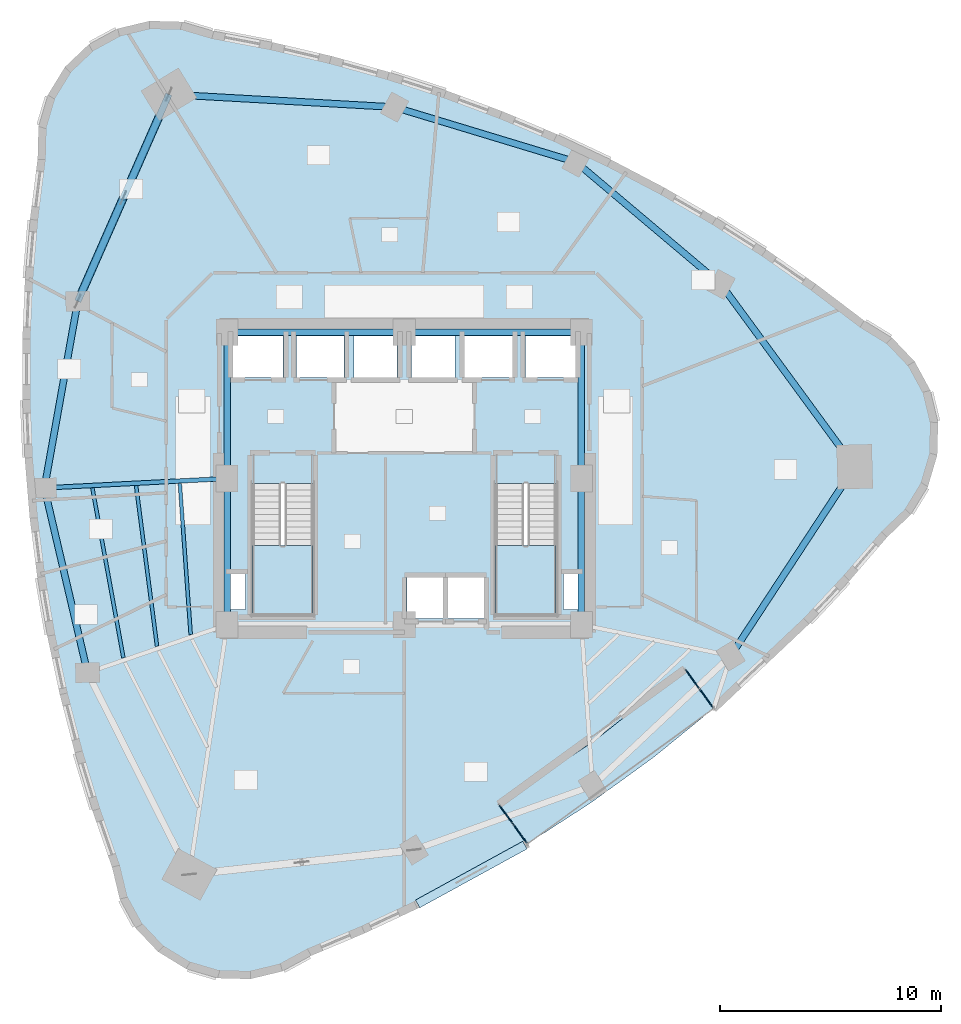
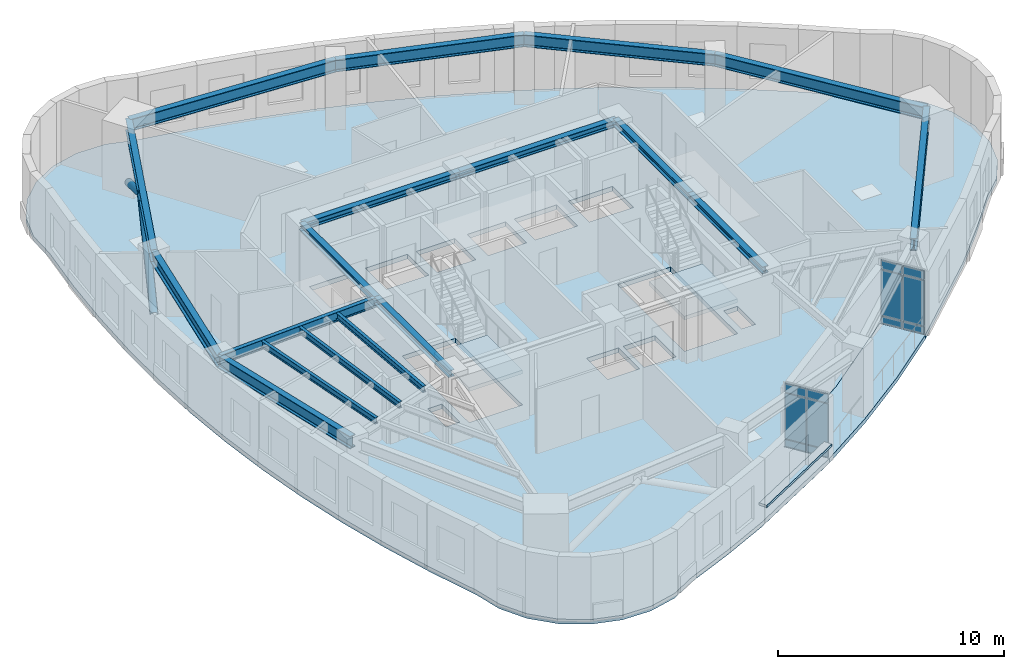
# One storey, part 4 of 12: 18 beams, 13 plates, 4 slabs, 2 members, 4 elements without a shape of their own.
"""IFC4 building model written with IfcOpenShell, lengths in metres."""

from ifc_helpers import new_model, si_unit, direction, frame, origin, origin_2d, place, context, subcontext, project, spatial, polyline, rectangle, hollow_circle, i_section, outline, extrude, material, layer, layer_set, material_profile, profile_set, type_object, element, aggregate, save


model = new_model("IFC4")

# Units and contexts
model_context = context("Model", 3, precision=1e-05, world=origin(), true_north=direction((0.0, 1.0)))
body_context = subcontext(model_context, "Body", "Model", "MODEL_VIEW")
ifc_project = project(units=[si_unit("LENGTHUNIT", "METRE"), si_unit("AREAUNIT", "SQUARE_METRE"), si_unit("VOLUMEUNIT", "CUBIC_METRE"), si_unit("PLANEANGLEUNIT", "RADIAN"), si_unit("MASSUNIT", "GRAM", prefix="KILO")], contexts=[model_context])

# Site, building, storey
site_placement = place(None, origin())
site = spatial("IfcSite", under=ifc_project, at=site_placement, CompositionType="ELEMENT")
building_placement = place(site_placement, origin())
building = spatial("IfcBuilding", under=site, at=building_placement, Name="Ndelora Gate Hotel", CompositionType="ELEMENT")
storey_placement = place(building_placement, frame((0.0, 0.0, 142.25)))
storey = spatial("IfcBuildingStorey", under=building, at=storey_placement, Name="L35", CompositionType="ELEMENT", Elevation=142.25)

# Beams
ifc_material_1 = material(Name="Steel S355", Category="steel")
ifc_material_profile_1 = material_profile(ifc_material_1, i_section(OverallWidth=0.300048828125, OverallDepth=0.360107421875, WebThickness=0.012451171875, FlangeThickness=0.0224609375, FilletRadius=0.027099609375, at=origin_2d()), Name="HEB 360")
ifc_profile_set_1 = profile_set([ifc_material_profile_1], Name="Steel S355")
beam_type_1 = type_object("IfcBeamType", Name="BM-CORE-360", PredefinedType="BEAM", material=ifc_profile_set_1)
for number, where, z_axis, x_axis, name in (
    (1, (-8.0, 6.60009765625, 3.320068359375), (1.0, 0.0, 0.0), (0.0, 1.0, 0.0), "L35 Core Tie Girder CC7-CC6"),
    (2, (0.0, 6.60009765625, 3.320068359375), (1.0, 0.0, 0.0), (0.0, 1.0, 0.0), "L35 Core Tie Girder CC6-CC5"),
):
    element("IfcBeam", number, at=place(storey_placement, frame(where, z_axis=z_axis, x_axis=x_axis)), inside=storey, type_object=beam_type_1, Name=name, PredefinedType="BEAM", context=body_context, shape_type="SweptSolid", body=[
        extrude(i_section(OverallWidth=0.300048828125, OverallDepth=0.360107421875, WebThickness=0.012451171875, FlangeThickness=0.0224609375, FilletRadius=0.027099609375, at=origin_2d()), origin(), (0.0, 0.0, 1.0), 8.0),
    ])
for number, where, z_axis, x_axis, name in (
    (3, (-8.0, -6.60009765625, 3.320068359375), (0.0, 1.0, 0.0), (-1.0, 0.0, 0.0), "L35 Core Tie Girder CC1-CC8"),
    (4, (-8.0, 0.0, 3.320068359375), (0.0, 1.0, 0.0), (-1.0, 0.0, 0.0), "L35 Core Tie Girder CC8-CC7"),
    (5, (8.0, -6.60009765625, 3.320068359375), (0.0, 1.0, 0.0), (-1.0, 0.0, 0.0), "L35 Core Tie Girder CC3-CC4"),
    (6, (8.0, 0.0, 3.320068359375), (0.0, 1.0, 0.0), (-1.0, 0.0, 0.0), "L35 Core Tie Girder CC4-CC5"),
):
    element("IfcBeam", number, at=place(storey_placement, frame(where, z_axis=z_axis, x_axis=x_axis)), inside=storey, type_object=beam_type_1, Name=name, PredefinedType="BEAM", context=body_context, shape_type="SweptSolid", body=[
        extrude(i_section(OverallWidth=0.300048828125, OverallDepth=0.360107421875, WebThickness=0.012451171875, FlangeThickness=0.0224609375, FilletRadius=0.027099609375, at=origin_2d()), origin(), (0.0, 0.0, 1.0), 6.60009765625),
    ])
ifc_material_profile_2 = material_profile(ifc_material_1, i_section(OverallWidth=0.159912109375, OverallDepth=0.330078125, WebThickness=0.007568359375, FlangeThickness=0.011474609375, FilletRadius=0.01806640625, at=origin_2d()), Name="IPE 330")
ifc_profile_set_2 = profile_set([ifc_material_profile_2], Name="Steel S355")
beam_type_2 = type_object("IfcBeamType", Name="BM-JST-330", PredefinedType="JOIST", material=ifc_profile_set_2)
beam_1_placement = place(storey_placement, frame((-10.138427734375, -0.220458984375, 3.3349609375), z_axis=(0.07162945927, -0.997431311201, 0.0), x_axis=(0.997431311201, 0.07162945927, 0.0)))
element("IfcBeam", 7, at=beam_1_placement, inside=storey, type_object=beam_type_2, Name="L35 Secondary Composite Floor Joist IN-3", PredefinedType="JOIST", context=body_context, shape_type="SweptSolid", body=[
    extrude(i_section(OverallWidth=0.159912109375, OverallDepth=0.330078125, WebThickness=0.007568359375, FlangeThickness=0.011474609375, FilletRadius=0.01806640625, at=origin_2d()), origin(), (0.0, 0.0, 1.0), 6.850830078125),
])
beam_2_placement = place(storey_placement, frame((-12.113525390625, -0.322021484375, 3.3349609375), z_axis=(0.12927924943, -0.991608226906, 0.0), x_axis=(0.991608226906, 0.12927924943, 0.0)))
element("IfcBeam", 8, at=beam_2_placement, inside=storey, type_object=beam_type_2, Name="L35 Secondary Composite Floor Joist MID-3", PredefinedType="JOIST", context=body_context, shape_type="SweptSolid", body=[
    extrude(i_section(OverallWidth=0.159912109375, OverallDepth=0.330078125, WebThickness=0.007568359375, FlangeThickness=0.011474609375, FilletRadius=0.01806640625, at=origin_2d()), origin(), (0.0, 0.0, 1.0), 7.31396484375),
])
beam_3_placement = place(storey_placement, frame((-14.089111328125, -0.423095703125, 3.3349609375), z_axis=(0.179733770179, -0.983715290039, 0.0), x_axis=(0.983715290039, 0.179733770179, 0.0)))
element("IfcBeam", 9, at=beam_3_placement, inside=storey, type_object=beam_type_2, Name="L35 Secondary Composite Floor Joist OUT-3", PredefinedType="JOIST", context=body_context, shape_type="SweptSolid", body=[
    extrude(i_section(OverallWidth=0.159912109375, OverallDepth=0.330078125, WebThickness=0.007568359375, FlangeThickness=0.011474609375, FilletRadius=0.01806640625, at=origin_2d()), origin(), (0.0, 0.0, 1.0), 7.799560546875),
])
ifc_material_profile_3 = material_profile(ifc_material_1, i_section(OverallWidth=0.199951171875, OverallDepth=0.5, WebThickness=0.01025390625, FlangeThickness=0.01611328125, FilletRadius=0.02099609375, at=origin_2d()), Name="IPE 500")
ifc_profile_set_3 = profile_set([ifc_material_profile_3], Name="Steel S355")
beam_type_3 = type_object("IfcBeamType", Name="BM-RAD-500", PredefinedType="BEAM", material=ifc_profile_set_3)
beam_4_placement = place(storey_placement, frame((-8.0, 0.0, 3.25), z_axis=(-0.998672591881, -0.051507807424, 0.0), x_axis=(0.051507807424, -0.998672591881, 0.0)))
element("IfcBeam", 10, at=beam_4_placement, inside=storey, type_object=beam_type_3, Name="L35 Radial Floor Girder 3", PredefinedType="BEAM", context=body_context, shape_type="SweptSolid", body=[
    extrude(i_section(OverallWidth=0.199951171875, OverallDepth=0.5, WebThickness=0.01025390625, FlangeThickness=0.01611328125, FilletRadius=0.02099609375, at=origin_2d()), origin(), (0.0, 0.0, 1.0), 8.266357421875),
])
ifc_material_profile_4 = material_profile(ifc_material_1, i_section(OverallWidth=0.300048828125, OverallDepth=0.64990234375, WebThickness=0.01611328125, FlangeThickness=0.031005859375, FilletRadius=0.027099609375, at=origin_2d()), Name="HEB 650")
ifc_profile_set_4 = profile_set([ifc_material_profile_4], Name="Steel S355")
beam_type_4 = type_object("IfcBeamType", Name="BM-RING-650", PredefinedType="SPANDREL", material=ifc_profile_set_4)
beam_5_placement = place(storey_placement, frame((-10.63330078125, 17.351806640625, 3.175048828125), z_axis=(-0.402852396707, -0.915264959707, 0.0), x_axis=(0.915264959707, -0.402852396707, 0.0)))
element("IfcBeam", 11, at=beam_5_placement, inside=storey, type_object=beam_type_4, Name="L35 Perimeter Spandrel Girder 1", PredefinedType="SPANDREL", context=body_context, shape_type="SweptSolid", body=[
    extrude(i_section(OverallWidth=0.300048828125, OverallDepth=0.64990234375, WebThickness=0.01611328125, FlangeThickness=0.031005859375, FilletRadius=0.027099609375, at=origin_2d()), origin(), (0.0, 0.0, 1.0), 10.21044921875),
])
beam_6_placement = place(storey_placement, frame((-14.74658203125, 8.006591796875, 3.175048828125), z_axis=(-0.176130938817, -0.984366746894, 0.0), x_axis=(0.984366746894, -0.176130938817, 0.0)))
element("IfcBeam", 12, at=beam_6_placement, inside=storey, type_object=beam_type_4, Name="L35 Perimeter Spandrel Girder 2", PredefinedType="SPANDREL", context=body_context, shape_type="SweptSolid", body=[
    extrude(i_section(OverallWidth=0.300048828125, OverallDepth=0.64990234375, WebThickness=0.01611328125, FlangeThickness=0.031005859375, FilletRadius=0.027099609375, at=origin_2d()), origin(), (0.0, 0.0, 1.0), 8.56640625),
])
beam_7_placement = place(storey_placement, frame((-16.25537109375, -0.42578125, 3.175048828125), z_axis=(0.227404398157, -0.973800410607, 0.0), x_axis=(0.973800410607, 0.227404398157, 0.0)))
element("IfcBeam", 13, at=beam_7_placement, inside=storey, type_object=beam_type_4, Name="L35 Perimeter Spandrel Girder 3", PredefinedType="SPANDREL", context=body_context, shape_type="SweptSolid", body=[
    extrude(i_section(OverallWidth=0.300048828125, OverallDepth=0.64990234375, WebThickness=0.01611328125, FlangeThickness=0.031005859375, FilletRadius=0.027099609375, at=origin_2d()), origin(), (0.0, 0.0, 1.0), 8.566162109375),
])
for number, where, z_axis, x_axis, name in (
    (14, (14.74658203125, -8.006591796875, 3.175048828125), (0.548194123818, 0.836351123998, 0.0), (-0.836351123998, 0.548194123818, 0.0), "L35 Perimeter Spandrel Girder 8"),
    (15, (20.34375, 0.53271484375, 3.175048828125), (-0.591229932094, 0.806503048597, 0.0), (-0.806503048597, -0.591229932094, 0.0), "L35 Perimeter Spandrel Girder 9"),
):
    element("IfcBeam", number, at=place(storey_placement, frame(where, z_axis=z_axis, x_axis=x_axis)), inside=storey, type_object=beam_type_4, Name=name, PredefinedType="SPANDREL", context=body_context, shape_type="SweptSolid", body=[
        extrude(i_section(OverallWidth=0.300048828125, OverallDepth=0.64990234375, WebThickness=0.01611328125, FlangeThickness=0.031005859375, FilletRadius=0.027099609375, at=origin_2d()), origin(), (0.0, 0.0, 1.0), 10.210205078125),
    ])
beam_8_placement = place(storey_placement, frame((14.30712890625, 8.767333984375, 3.175048828125), z_axis=(-0.76440691948, 0.644734101356, 0.0), x_axis=(-0.644734101356, -0.76440691948, 0.0)))
element("IfcBeam", 16, at=beam_8_placement, inside=storey, type_object=beam_type_4, Name="L35 Perimeter Spandrel Girder 10", PredefinedType="SPANDREL", context=body_context, shape_type="SweptSolid", body=[
    extrude(i_section(OverallWidth=0.300048828125, OverallDepth=0.64990234375, WebThickness=0.01611328125, FlangeThickness=0.031005859375, FilletRadius=0.027099609375, at=origin_2d()), origin(), (0.0, 0.0, 1.0), 8.566162109375),
])
beam_9_placement = place(storey_placement, frame((7.759033203125, 14.290283203125, 3.175048828125), z_axis=(-0.957030396662, 0.289987620192, 0.0), x_axis=(-0.289987620192, -0.957030396662, 0.0)))
element("IfcBeam", 17, at=beam_9_placement, inside=storey, type_object=beam_type_4, Name="L35 Perimeter Spandrel Girder 11", PredefinedType="SPANDREL", context=body_context, shape_type="SweptSolid", body=[
    extrude(i_section(OverallWidth=0.300048828125, OverallDepth=0.64990234375, WebThickness=0.01611328125, FlangeThickness=0.031005859375, FilletRadius=0.027099609375, at=origin_2d()), origin(), (0.0, 0.0, 1.0), 8.56640625),
])
beam_10_placement = place(storey_placement, frame((-0.439208984375, 16.7744140625, 3.175048828125), z_axis=(-0.998399808671, 0.056549288648, 0.0), x_axis=(-0.056549288648, -0.998399808671, 0.0)))
element("IfcBeam", 18, at=beam_10_placement, inside=storey, type_object=beam_type_4, Name="L35 Perimeter Spandrel Girder 12", PredefinedType="SPANDREL", context=body_context, shape_type="SweptSolid", body=[
    extrude(i_section(OverallWidth=0.300048828125, OverallDepth=0.64990234375, WebThickness=0.01611328125, FlangeThickness=0.031005859375, FilletRadius=0.027099609375, at=origin_2d()), origin(), (0.0, 0.0, 1.0), 10.21044921875),
])

# Members
ifc_material_profile_5 = material_profile(ifc_material_1, hollow_circle(Radius=0.177978515625, WallThickness=0.01611328125, at=origin_2d()), Name="CHS 356x16")
ifc_profile_set_5 = profile_set([ifc_material_profile_5], Name="Steel S355")
member_type = type_object("IfcMemberType", Name="MB-TUBE-356", PredefinedType="BRACE", material=ifc_profile_set_5)
for number, where, z_axis, x_axis, name in (
    (19, (-10.63330078125, 17.351806640625, 0.02001953125), (-0.34939949201, -0.793822041498, 0.497761550761), (0.915264959707, -0.402852396707, 0.0), "L35 Perimeter Braced-Tube Diagonal 1A"),
    (20, (-14.74658203125, 8.006591796875, 0.02001953125), (0.34939949201, 0.793822041498, 0.497761550761), (-0.915264959707, 0.402852396707, 0.0), "L35 Perimeter Braced-Tube Diagonal 1B"),
):
    element("IfcMember", number, at=place(storey_placement, frame(where, z_axis=z_axis, x_axis=x_axis)), inside=storey, type_object=member_type, Name=name, PredefinedType="BRACE", context=body_context, shape_type="SweptSolid", body=[
        extrude(hollow_circle(Radius=0.177978515625, WallThickness=0.01611328125, at=origin_2d()), origin(), (0.0, 0.0, 1.0), 5.88623046875),
    ])

# Curtain wall, plates
ifc_material_2 = material(Name="Bronze Anodised Unitised Aluminium and Low-E Glass", Category="aluminium")
ifc_layer_1 = layer(ifc_material_2, 0.199951171875)
ifc_layer_set_1 = layer_set([ifc_layer_1], Name="Bronze Anodised Unitised Aluminium and Low-E Glass")
curtain_wall_type = type_object("IfcCurtainWallType", Name="CW-SYS-3", PredefinedType="NOTDEFINED", material=ifc_layer_set_1)
curtain_wall_1_placement = place(storey_placement, origin())
curtain_wall_1 = element("IfcCurtainWall", 21, at=curtain_wall_1_placement, inside=storey, type_object=curtain_wall_type, Name="L35 Sky-Garden Loggia Side Curtain Wall CW3-1", PredefinedType="NOTDEFINED")
ifc_material_3 = material(Name="Solar-Control Low-E Insulated Glazing", Category="glass")
ifc_layer_2 = layer(ifc_material_3, 0.048095703125)
ifc_layer_set_2 = layer_set([ifc_layer_2], Name="Solar-Control Low-E Insulated Glazing")
plate_type_1 = type_object("IfcPlateType", Name="PL-CW-GLZ36", PredefinedType="CURTAIN_PANEL", material=ifc_layer_set_2)
plate_1_placement = place(storey_placement, frame((4.59912109375, -15.177001953125, 0.05908203125), z_axis=(0.0, 0.0, 1.0), x_axis=(0.587785135859, -0.809017078969, 0.0)))
plate_1 = element("IfcPlate", 22, at=plate_1_placement, type_object=plate_type_1, Name="CW3 panel 1.1", PredefinedType="CURTAIN_PANEL", context=body_context, shape_type="SweptSolid", body=[
    extrude(rectangle(XDim=1.014404296875, YDim=0.048095703125, at=origin_2d()), origin(), (0.0, 0.0, 1.0), 0.364501953125),
])
plate_2_placement = place(storey_placement, frame((4.59912109375, -15.177001953125, 0.4765625), z_axis=(0.0, 0.0, 1.0), x_axis=(0.587785135859, -0.809017078969, 0.0)))
plate_2 = element("IfcPlate", 23, at=plate_2_placement, type_object=plate_type_1, Name="CW3 panel 1.2", PredefinedType="CURTAIN_PANEL", context=body_context, shape_type="SweptSolid", body=[
    extrude(rectangle(XDim=1.014404296875, YDim=0.048095703125, at=origin_2d()), origin(), (0.0, 0.0, 1.0), 2.447021484375),
])
plate_3_placement = place(storey_placement, frame((4.59912109375, -15.177001953125, 2.9765625), z_axis=(0.0, 0.0, 1.0), x_axis=(0.587785135859, -0.809017078969, 0.0)))
plate_3 = element("IfcPlate", 24, at=plate_3_placement, type_object=plate_type_1, Name="CW3 panel 1.3", PredefinedType="CURTAIN_PANEL", context=body_context, shape_type="SweptSolid", body=[
    extrude(rectangle(XDim=1.014404296875, YDim=0.048095703125, at=origin_2d()), origin(), (0.0, 0.0, 1.0), 0.464599609375),
])
plate_4_placement = place(storey_placement, frame((5.2265625, -16.040771484375, 0.05908203125), z_axis=(0.0, 0.0, 1.0), x_axis=(0.587785135859, -0.809017078969, 0.0)))
plate_4 = element("IfcPlate", 25, at=plate_4_placement, type_object=plate_type_1, Name="CW3 panel 2.1", PredefinedType="CURTAIN_PANEL", context=body_context, shape_type="SweptSolid", body=[
    extrude(rectangle(XDim=1.014404296875, YDim=0.048095703125, at=origin_2d()), origin(), (0.0, 0.0, 1.0), 0.364501953125),
])
plate_5_placement = place(storey_placement, frame((5.2265625, -16.040771484375, 0.4765625), z_axis=(0.0, 0.0, 1.0), x_axis=(0.587785135859, -0.809017078969, 0.0)))
plate_5 = element("IfcPlate", 26, at=plate_5_placement, type_object=plate_type_1, Name="CW3 panel 2.2", PredefinedType="CURTAIN_PANEL", context=body_context, shape_type="SweptSolid", body=[
    extrude(rectangle(XDim=1.014404296875, YDim=0.048095703125, at=origin_2d()), origin(), (0.0, 0.0, 1.0), 2.447021484375),
])
plate_6_placement = place(storey_placement, frame((5.2265625, -16.040771484375, 2.9765625), z_axis=(0.0, 0.0, 1.0), x_axis=(0.587785135859, -0.809017078969, 0.0)))
plate_6 = element("IfcPlate", 27, at=plate_6_placement, type_object=plate_type_1, Name="CW3 panel 2.3", PredefinedType="CURTAIN_PANEL", context=body_context, shape_type="SweptSolid", body=[
    extrude(rectangle(XDim=1.014404296875, YDim=0.048095703125, at=origin_2d()), origin(), (0.0, 0.0, 1.0), 0.464599609375),
])
aggregate(curtain_wall_1, [plate_1, plate_2, plate_3, plate_4, plate_5, plate_6])

curtain_wall_2_placement = place(storey_placement, origin())
curtain_wall_2 = element("IfcCurtainWall", 28, at=curtain_wall_2_placement, inside=storey, type_object=curtain_wall_type, Name="L35 Sky-Garden Loggia Side Curtain Wall CW3-2", PredefinedType="NOTDEFINED")
plate_7_placement = place(storey_placement, frame((13.640380859375, -9.927734375, 0.05908203125), z_axis=(0.0, 0.0, 1.0), x_axis=(-0.587785135859, 0.809017078969, 0.0)))
plate_7 = element("IfcPlate", 29, at=plate_7_placement, type_object=plate_type_1, Name="CW3 panel 1.1", PredefinedType="CURTAIN_PANEL", context=body_context, shape_type="SweptSolid", body=[
    extrude(rectangle(XDim=1.014404296875, YDim=0.048095703125, at=origin_2d()), origin(), (0.0, 0.0, 1.0), 0.364501953125),
])
plate_8_placement = place(storey_placement, frame((13.640380859375, -9.927734375, 0.4765625), z_axis=(0.0, 0.0, 1.0), x_axis=(-0.587785135859, 0.809017078969, 0.0)))
plate_8 = element("IfcPlate", 30, at=plate_8_placement, type_object=plate_type_1, Name="CW3 panel 1.2", PredefinedType="CURTAIN_PANEL", context=body_context, shape_type="SweptSolid", body=[
    extrude(rectangle(XDim=1.014404296875, YDim=0.048095703125, at=origin_2d()), origin(), (0.0, 0.0, 1.0), 2.447021484375),
])
plate_9_placement = place(storey_placement, frame((13.640380859375, -9.927734375, 2.9765625), z_axis=(0.0, 0.0, 1.0), x_axis=(-0.587785135859, 0.809017078969, 0.0)))
plate_9 = element("IfcPlate", 31, at=plate_9_placement, type_object=plate_type_1, Name="CW3 panel 1.3", PredefinedType="CURTAIN_PANEL", context=body_context, shape_type="SweptSolid", body=[
    extrude(rectangle(XDim=1.014404296875, YDim=0.048095703125, at=origin_2d()), origin(), (0.0, 0.0, 1.0), 0.464599609375),
])
plate_10_placement = place(storey_placement, frame((13.012939453125, -9.064208984375, 0.05908203125), z_axis=(0.0, 0.0, 1.0), x_axis=(-0.587785135859, 0.809017078969, 0.0)))
plate_10 = element("IfcPlate", 32, at=plate_10_placement, type_object=plate_type_1, Name="CW3 panel 2.1", PredefinedType="CURTAIN_PANEL", context=body_context, shape_type="SweptSolid", body=[
    extrude(rectangle(XDim=1.014404296875, YDim=0.048095703125, at=origin_2d()), origin(), (0.0, 0.0, 1.0), 0.364501953125),
])
plate_11_placement = place(storey_placement, frame((13.012939453125, -9.064208984375, 0.4765625), z_axis=(0.0, 0.0, 1.0), x_axis=(-0.587785135859, 0.809017078969, 0.0)))
plate_11 = element("IfcPlate", 33, at=plate_11_placement, type_object=plate_type_1, Name="CW3 panel 2.2", PredefinedType="CURTAIN_PANEL", context=body_context, shape_type="SweptSolid", body=[
    extrude(rectangle(XDim=1.014404296875, YDim=0.048095703125, at=origin_2d()), origin(), (0.0, 0.0, 1.0), 2.447021484375),
])
plate_12_placement = place(storey_placement, frame((13.012939453125, -9.064208984375, 2.9765625), z_axis=(0.0, 0.0, 1.0), x_axis=(-0.587785135859, 0.809017078969, 0.0)))
plate_12 = element("IfcPlate", 34, at=plate_12_placement, type_object=plate_type_1, Name="CW3 panel 2.3", PredefinedType="CURTAIN_PANEL", context=body_context, shape_type="SweptSolid", body=[
    extrude(rectangle(XDim=1.014404296875, YDim=0.048095703125, at=origin_2d()), origin(), (0.0, 0.0, 1.0), 0.464599609375),
])
aggregate(curtain_wall_2, [plate_7, plate_8, plate_9, plate_10, plate_11, plate_12])

# Plate
ifc_material_4 = material(Name="Precast concrete C40/50", Category="concrete")
ifc_layer_3 = layer(ifc_material_4, 0.125)
ifc_layer_set_3 = layer_set([ifc_layer_3], Name="Precast concrete C40/50")
plate_type_2 = type_object("IfcPlateType", Name="PL-SILL-120", PredefinedType="USERDEFINED", material=ifc_layer_set_3)
plate_13_placement = place(storey_placement, frame((3.026123046875, -17.88623046875, 0.78759765625), z_axis=(0.0, 0.0, 1.0), x_axis=(0.877062335535, 0.480376581014, 0.0)))
element("IfcPlate", 35, at=plate_13_placement, inside=storey, type_object=plate_type_2, Name="L35 Streamline Precast Ribbon Sill 31", ObjectType="RIBBON_SILL", PredefinedType="USERDEFINED", context=body_context, shape_type="SweptSolid", body=[
    extrude(rectangle(XDim=5.527099609375, YDim=0.39990234375, at=origin_2d()), origin(), (0.0, 0.0, 1.0), 0.125),
])

# Stair, slab
stair_type = type_object("IfcStairType", Name="STR-DOG-CORE", PredefinedType="HALF_TURN_STAIR", material=ifc_material_4)
stair_1_placement = place(storey_placement, origin())
stair_1 = element("IfcStair", 36, at=stair_1_placement, inside=storey, type_object=stair_type, Name="L35 Protected Core Exit Stair ST4", PredefinedType="HALF_TURN_STAIR")
ifc_layer_4 = layer(ifc_material_4, 0.219970703125)
ifc_layer_set_4 = layer_set([ifc_layer_4], Name="Precast concrete C40/50")
slab_type_1 = type_object("IfcSlabType", Name="SL-LAND-220", PredefinedType="LANDING", material=ifc_layer_set_4)
slab_1_placement = place(storey_placement, frame((0.0, 0.0, 1.675048828125)))
slab_1 = element("IfcSlab", 37, at=slab_1_placement, type_object=slab_type_1, Name="ST4 landing 1", PredefinedType="LANDING", context=body_context, shape_type="SweptSolid", body=[
    extrude(outline(polyline([(-6.85009765625, -3.030029296875), (-6.85009765625, -6.14990234375), (-4.1298828125, -6.14990234375), (-4.1298828125, -3.030029296875), (-6.85009765625, -3.030029296875)])), origin(), (0.0, 0.0, 1.0), 0.199951171875),
])
aggregate(stair_1, [slab_1])

stair_2_placement = place(storey_placement, origin())
stair_2 = element("IfcStair", 38, at=stair_2_placement, inside=storey, type_object=stair_type, Name="L35 Protected Core Exit Stair ST5", PredefinedType="HALF_TURN_STAIR")
slab_2_placement = place(storey_placement, frame((0.0, 0.0, 1.675048828125)))
slab_2 = element("IfcSlab", 39, at=slab_2_placement, type_object=slab_type_1, Name="ST5 landing 1", PredefinedType="LANDING", context=body_context, shape_type="SweptSolid", body=[
    extrude(outline(polyline([(4.1298828125, -3.030029296875), (4.1298828125, -6.14990234375), (6.85009765625, -6.14990234375), (6.85009765625, -3.030029296875), (4.1298828125, -3.030029296875)])), origin(), (0.0, 0.0, 1.0), 0.199951171875),
])
aggregate(stair_2, [slab_2])

# Slabs
ifc_layer_5 = layer(ifc_material_4, 0.239990234375)
ifc_layer_set_5 = layer_set([ifc_layer_5], Name="Precast concrete C40/50")
slab_type_2 = type_object("IfcSlabType", Name="SL-TER-240", PredefinedType="FLOOR", material=ifc_layer_set_5)
slab_3_placement = place(storey_placement, frame((0.0, 0.0, -0.239990234375)))
element("IfcSlab", 40, at=slab_3_placement, inside=storey, type_object=slab_type_2, Name="L35 Sky Garden Loggia Terrace Slab", PredefinedType="FLOOR", context=body_context, shape_type="SweptSolid", body=[
    extrude(outline(polyline([(4.266357421875, -14.718994140625), (5.5595703125, -16.498779296875), (8.447509765625, -14.635009765625), (11.308349609375, -12.556640625), (13.973388671875, -10.3857421875), (12.68017578125, -8.60595703125), (8.599365234375, -11.836181640625), (4.266357421875, -14.718994140625)])), origin(), (0.0, 0.0, 1.0), 0.239990234375),
])
ifc_material_5 = material(Name="Concrete C40/50", Category="concrete")
ifc_layer_6 = layer(ifc_material_5, 0.25)
ifc_layer_set_6 = layer_set([ifc_layer_6], Name="Concrete C40/50")
slab_type_3 = type_object("IfcSlabType", Name="SL-TWR-250", PredefinedType="FLOOR", material=ifc_layer_set_6)
slab_4_placement = place(storey_placement, frame((0.0, 0.0, -0.25)))
element("IfcSlab", 41, at=slab_4_placement, inside=storey, type_object=slab_type_3, Name="L35 Structural Floor Slab", PredefinedType="FLOOR", context=body_context, shape_type="SweptSolid", body=[
    extrude(outline(polyline([(-8.67236328125, 20.0400390625), (-10.049072265625, 20.447998046875), (-11.484375, 20.485595703125), (-12.880615234375, 20.150390625), (-14.142333984375, 19.465087890625), (-15.183837890625, 18.476806640625), (-15.93408203125, 17.252685546875), (-16.341796875, 15.8759765625), (-16.37939453125, 14.440673828125), (-16.722412109375, 11.7109375), (-16.951904296875, 8.9931640625), (-17.068359375, 6.287109375), (-17.071533203125, 3.593017578125), (-16.96142578125, 0.910888671875), (-16.738037109375, -1.75927734375), (-16.4013671875, -4.41748046875), (-15.951416015625, -7.06396484375), (-15.38818359375, -9.698486328125), (-14.711669921875, -12.321044921875), (-13.922119140625, -14.931884765625), (-13.01904296875, -17.530517578125), (-12.683837890625, -18.9267578125), (-11.998779296875, -20.1884765625), (-11.010498046875, -21.22998046875), (-9.7861328125, -21.980224609375), (-8.40966796875, -22.387939453125), (-6.974365234375, -22.425537109375), (-5.578125, -22.09033203125), (-4.31640625, -21.4052734375), (-1.881103515625, -20.3818359375), (0.49267578125, -19.273681640625), (5.5595703125, -16.498779296875), (4.266357421875, -14.718994140625), (8.599365234375, -11.836181640625), (12.68017578125, -8.60595703125), (13.973388671875, -10.3857421875), (18.177978515625, -6.42431640625), (19.965576171875, -4.509521484375), (21.69140625, -2.509521484375), (22.73291015625, -1.521240234375), (23.483154296875, -0.297119140625), (23.890869140625, 1.07958984375), (23.928466796875, 2.514892578125), (23.593505859375, 3.9111328125), (22.908203125, 5.1728515625), (21.919921875, 6.21435546875), (20.69580078125, 6.964599609375), (18.503173828125, 8.62646484375), (16.26416015625, 10.184326171875), (13.97900390625, 11.637939453125), (11.6474609375, 12.98779296875), (9.26953125, 14.2333984375), (6.845458984375, 15.375), (4.375, 16.41259765625), (1.858154296875, 17.34619140625), (-0.705078125, 18.17578125), (-3.314453125, 18.9013671875), (-5.97021484375, 19.522705078125), (-8.67236328125, 20.0400390625)]), holes=[polyline([(-6.85009765625, -0.22998046875), (-6.85009765625, -6.14990234375), (-4.1298828125, -6.14990234375), (-4.1298828125, -0.22998046875), (-6.85009765625, -0.22998046875)]), polyline([(4.1298828125, -0.22998046875), (4.1298828125, -6.14990234375), (6.85009765625, -6.14990234375), (6.85009765625, -0.22998046875), (4.1298828125, -0.22998046875)]), polyline([(-7.72998046875, 4.570068359375), (-5.469970703125, 4.570068359375), (-5.469970703125, 6.429931640625), (-7.72998046875, 6.429931640625), (-7.72998046875, 4.570068359375)]), polyline([(5.469970703125, 4.570068359375), (7.72998046875, 4.570068359375), (7.72998046875, 6.429931640625), (5.469970703125, 6.429931640625), (5.469970703125, 4.570068359375)]), polyline([(-4.8798828125, 4.570068359375), (-2.719970703125, 4.570068359375), (-2.719970703125, 6.429931640625), (-4.8798828125, 6.429931640625), (-4.8798828125, 4.570068359375)]), polyline([(2.719970703125, 4.570068359375), (4.8798828125, 4.570068359375), (4.8798828125, 6.429931640625), (2.719970703125, 6.429931640625), (2.719970703125, 4.570068359375)]), polyline([(0.1201171875, -6.330078125), (1.739990234375, -6.330078125), (1.739990234375, -4.469970703125), (0.1201171875, -4.469970703125), (0.1201171875, -6.330078125)]), polyline([(1.97998046875, -6.330078125), (3.60009765625, -6.330078125), (3.60009765625, -4.469970703125), (1.97998046875, -4.469970703125), (1.97998046875, -6.330078125)]), polyline([(-2.280029296875, 4.570068359375), (-0.320068359375, 4.570068359375), (-0.320068359375, 6.429931640625), (-2.280029296875, 6.429931640625), (-2.280029296875, 4.570068359375)]), polyline([(0.320068359375, 4.570068359375), (2.280029296875, 4.570068359375), (2.280029296875, 6.429931640625), (0.320068359375, 6.429931640625), (0.320068359375, 4.570068359375)]), polyline([(-7.89990234375, -5.919921875), (-7.179931640625, -5.919921875), (-7.179931640625, -4.320068359375), (-7.89990234375, -4.320068359375), (-7.89990234375, -5.919921875)]), polyline([(7.179931640625, -5.919921875), (7.89990234375, -5.919921875), (7.89990234375, -4.320068359375), (7.179931640625, -4.320068359375), (7.179931640625, -5.919921875)])]), origin(), (0.0, 0.0, 1.0), 0.25),
])

save(model, "model.ifc")
